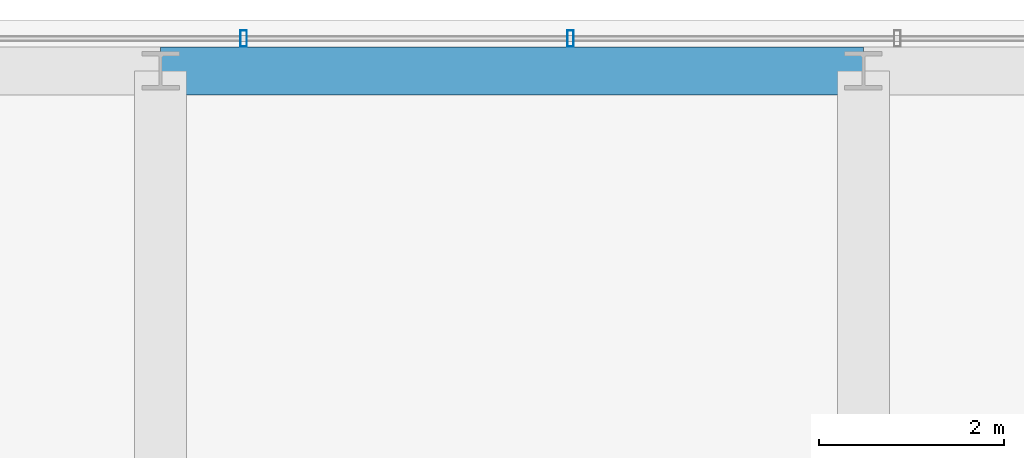
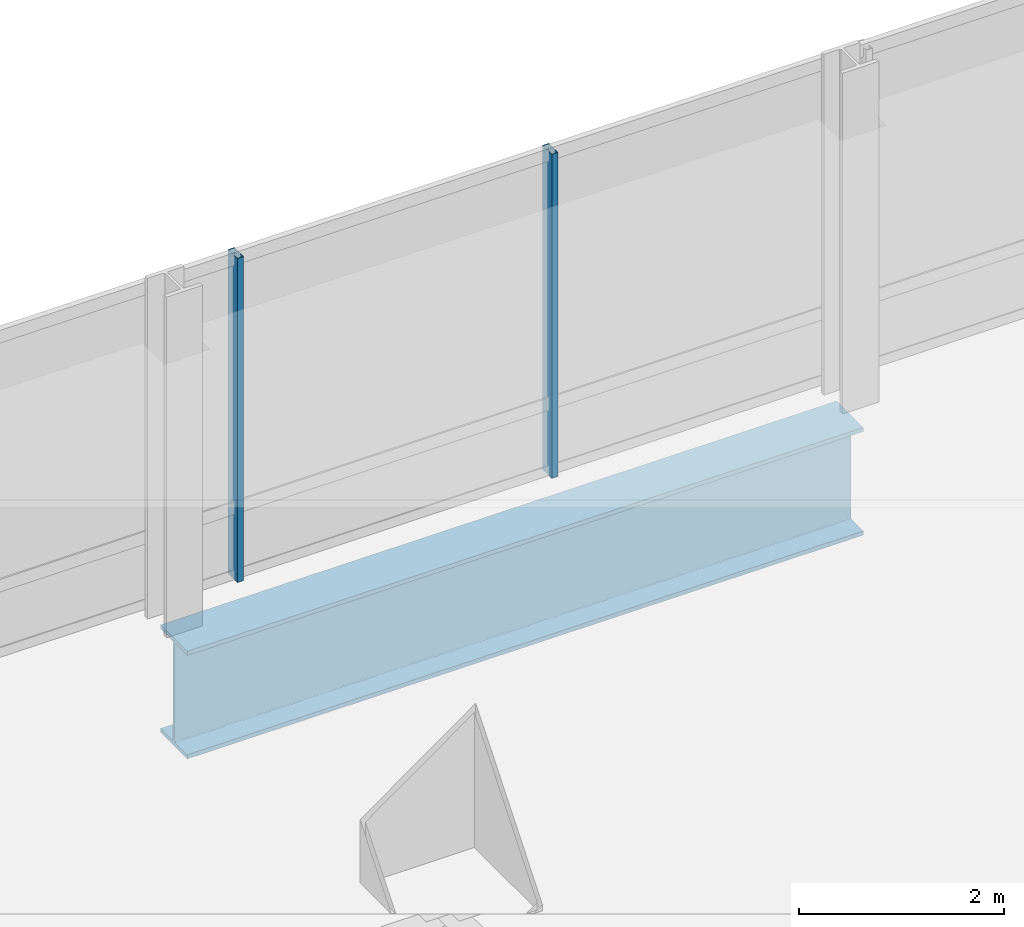
# One storey, part 27 of 40: 2 members, 1 beam, 1 element without a shape of its own.
"""IFC4 building model written with IfcOpenShell, lengths in metres."""

from ifc_helpers import new_model, si_unit, direction, frame, origin, origin_2d, place, context, subcontext, project, spatial, hollow_rectangle, i_section, extrude, material, material_profile, profile_set, type_object, element, aggregate, save


model = new_model("IFC4")

# Units and contexts
model_context = context("Model", 3, precision=1e-05, world=origin(), true_north=direction((0.0, 1.0)))
body_context = subcontext(model_context, "Body", "Model", "MODEL_VIEW")
ifc_project = project(units=[si_unit("LENGTHUNIT", "METRE"), si_unit("AREAUNIT", "SQUARE_METRE"), si_unit("VOLUMEUNIT", "CUBIC_METRE"), si_unit("PLANEANGLEUNIT", "RADIAN"), si_unit("MASSUNIT", "GRAM", prefix="KILO")], contexts=[model_context])

# Site, building, storey
site_placement = place(None, origin())
site = spatial("IfcSite", under=ifc_project, at=site_placement, CompositionType="ELEMENT")
building_placement = place(site_placement, origin())
building = spatial("IfcBuilding", under=site, at=building_placement, Name="Punatoya Terracotta Tower", CompositionType="ELEMENT")
storey_placement = place(building_placement, frame((0.0, 0.0, 271.64990234375)))
storey = spatial("IfcBuildingStorey", under=building, at=storey_placement, Name="L64", CompositionType="ELEMENT", Elevation=271.64990234375)

# Beam
ifc_material_1 = material(Name="Steel S460", Category="steel")
ifc_material_profile_1 = material_profile(ifc_material_1, i_section(OverallWidth=0.52001953125, OverallDepth=1.280029296875, WebThickness=0.031982421875, FlangeThickness=0.050048828125, FilletRadius=0.01806640625, at=origin_2d()))
ifc_profile_set_1 = profile_set([ifc_material_profile_1], Name="Steel S460")
beam_type = type_object("IfcBeamType", Name="BM-TG-NCK", PredefinedType="BEAM", material=ifc_profile_set_1)
beam_placement = place(storey_placement, frame((-3.800048828125, 22.89990234375, -0.83984375), z_axis=(1.0, 0.0, 0.0), x_axis=(0.0, 1.0, 0.0)))
element("IfcBeam", 1, at=beam_placement, inside=storey, type_object=beam_type, Name="BM-L64-PER-N2", PredefinedType="BEAM", context=body_context, shape_type="SweptSolid", body=[
    extrude(i_section(OverallWidth=0.52001953125, OverallDepth=1.280029296875, WebThickness=0.031982421875, FlangeThickness=0.050048828125, FilletRadius=0.01806640625, at=origin_2d()), origin(), (0.0, 0.0, 1.0), 7.60009765625),
])

# Curtain wall, members
ifc_material_2 = material(Name="Aluminium 6063-T6 + Double Low-E Glass", Category="aluminium")
curtain_wall_type = type_object("IfcCurtainWallType", Name="CW-M3", PredefinedType="NOTDEFINED", material=ifc_material_2)
curtain_wall_placement = place(storey_placement, origin())
curtain_wall = element("IfcCurtainWall", 2, at=curtain_wall_placement, inside=storey, type_object=curtain_wall_type, Name="L64 Curtain Wall CW-L64-N09-1", PredefinedType="NOTDEFINED")
ifc_material_3 = material(Name="Aluminium 6063-T6", Category="aluminium")
ifc_material_profile_2 = material_profile(ifc_material_3, hollow_rectangle(XDim=0.070068359375, YDim=0.179931640625, WallThickness=0.00390625, at=origin_2d()))
ifc_profile_set_2 = profile_set([ifc_material_profile_2], Name="Aluminium 6063-T6")
member_type = type_object("IfcMemberType", Name="CW-MUL-M3", PredefinedType="MULLION", material=ifc_profile_set_2)
member_1_placement = place(storey_placement, frame((0.633056640625, 23.25, 0.0), z_axis=(0.0, 0.0, 1.0), x_axis=(1.0, 0.0, 0.0)))
member_1 = element("IfcMember", 3, at=member_1_placement, type_object=member_type, Name="CW-L64-N09-1 Mullion 06", PredefinedType="MULLION", context=body_context, shape_type="SweptSolid", body=[
    extrude(hollow_rectangle(XDim=0.070068359375, YDim=0.179931640625, WallThickness=0.00390625, at=origin_2d()), origin(), (0.0, 0.0, 1.0), 3.85009765625),
])
member_2_placement = place(storey_placement, frame((-2.90087890625, 23.25, 0.0), z_axis=(0.0, 0.0, 1.0), x_axis=(1.0, 0.0, 0.0)))
member_2 = element("IfcMember", 4, at=member_2_placement, type_object=member_type, Name="CW-L64-N09-1 Mullion 07", PredefinedType="MULLION", context=body_context, shape_type="SweptSolid", body=[
    extrude(hollow_rectangle(XDim=0.070068359375, YDim=0.179931640625, WallThickness=0.00390625, at=origin_2d()), origin(), (0.0, 0.0, 1.0), 3.85009765625),
])
aggregate(curtain_wall, [member_1, member_2])

save(model, "model.ifc")
